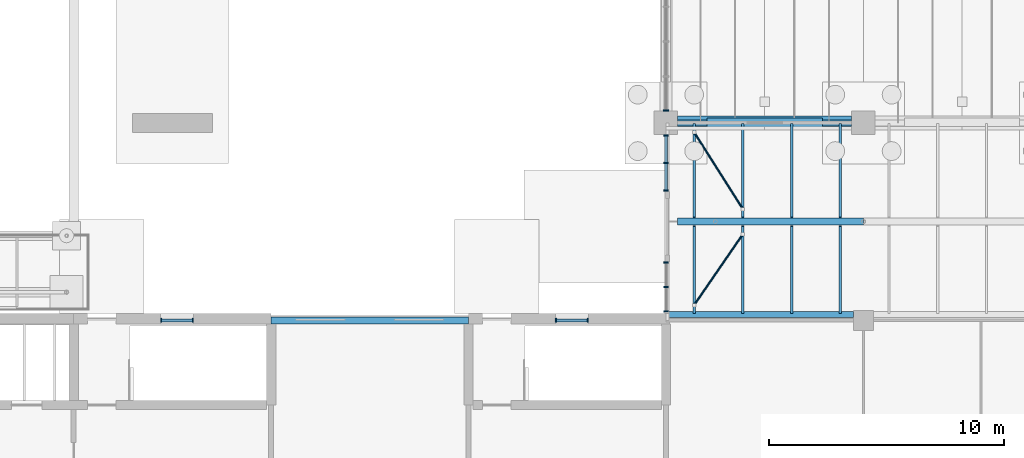
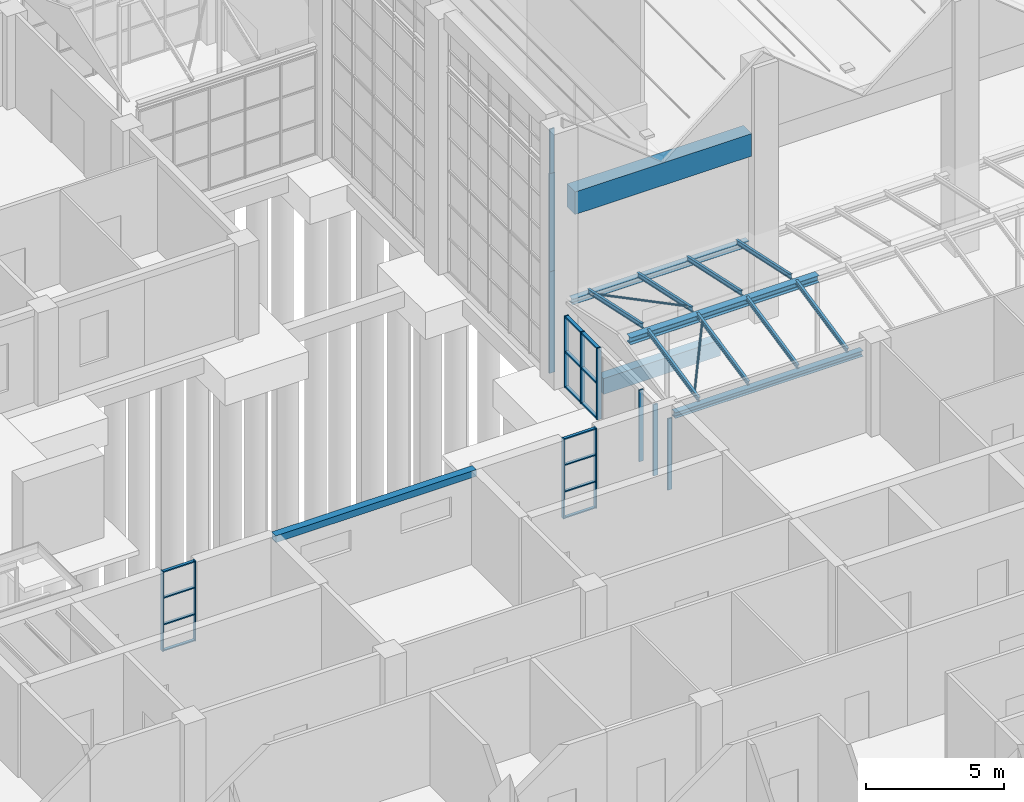
# One storey, part 37 of 138: 29 members, 14 beams, 7 elements without a shape of their own.
"""IFC4 building model written with IfcOpenShell, lengths in metres."""

from ifc_helpers import new_model, si_unit, direction, frame, origin, origin_2d, place, context, subcontext, project, spatial, rectangle, hollow_circle, i_section, extrude, material, material_profile, profile_set, type_object, element, aggregate, save


model = new_model("IFC4")

# Units and contexts
model_context = context("Model", 3, precision=1e-05, world=origin(), true_north=direction((0.0, 1.0)))
body_context = subcontext(model_context, "Body", "Model", "MODEL_VIEW")
ifc_project = project(units=[si_unit("LENGTHUNIT", "METRE"), si_unit("AREAUNIT", "SQUARE_METRE"), si_unit("VOLUMEUNIT", "CUBIC_METRE"), si_unit("PLANEANGLEUNIT", "RADIAN"), si_unit("MASSUNIT", "GRAM", prefix="KILO")], contexts=[model_context])

# Site, building, storey
site_placement = place(None, origin())
site = spatial("IfcSite", under=ifc_project, at=site_placement, CompositionType="ELEMENT")
building_placement = place(site_placement, origin())
building = spatial("IfcBuilding", under=site, at=building_placement, Name="Yavir Park General Hospital", CompositionType="ELEMENT")
storey_placement = place(building_placement, origin())
storey = spatial("IfcBuildingStorey", under=building, at=storey_placement, Name="L00", CompositionType="ELEMENT", Elevation=0.0)

# Members
ifc_material_1 = material(Name="Steel S355", Category="steel")
ifc_material_profile_1 = material_profile(ifc_material_1, hollow_circle(Radius=0.04443359375, WallThickness=0.0048828125, at=origin_2d()), Name="CHS88.9x5")
ifc_profile_set_1 = profile_set([ifc_material_profile_1], Name="Steel S355")
member_type_1 = type_object("IfcMemberType", Name="CHS 88.9x5 roof brace", PredefinedType="BRACE", material=ifc_profile_set_1)
member_1_placement = place(storey_placement, frame((76.800048828125, 34.25244140625, 3.68408203125), z_axis=(0.557681042943, 0.811626262262, 0.173938681003), x_axis=(-0.824189811811, 0.56631365347, 0.0)))
element("IfcMember", 1, at=member_1_placement, inside=storey, type_object=member_type_1, Name="RF:FOYER:frame:X:0", PredefinedType="BRACE", context=body_context, shape_type="SweptSolid", body=[
    extrude(hollow_circle(Radius=0.04443359375, WallThickness=0.0048828125, at=origin_2d()), origin(), (0.0, 0.0, 1.0), 3.716796875),
])
member_2_placement = place(storey_placement, frame((76.800048828125, 41.59765625, 3.630615234375), z_axis=(0.527213079538, -0.830872909803, 0.178035323797), x_axis=(0.844362360977, 0.535772529499, 0.0)))
element("IfcMember", 2, at=member_2_placement, inside=storey, type_object=member_type_1, Name="RF:FOYER:frame:X:2", PredefinedType="BRACE", context=body_context, shape_type="SweptSolid", body=[
    extrude(hollow_circle(Radius=0.04443359375, WallThickness=0.0048828125, at=origin_2d()), origin(), (0.0, 0.0, 1.0), 3.931640625),
])

# Curtain wall, members
ifc_material_2 = material(Name="Aluminium curtain wall frame with insulated glazing", Category="aluminium")
curtain_wall_type_1 = type_object("IfcCurtainWallType", Name="Glazed foyer walls, 3164 high, 1400 module", PredefinedType="NOTDEFINED", material=ifc_material_2)
curtain_wall_1_placement = place(storey_placement, origin())
curtain_wall_1 = element("IfcCurtainWall", 3, at=curtain_wall_1_placement, inside=storey, type_object=curtain_wall_type_1, Name="CW36 L00-048", PredefinedType="NOTDEFINED")
ifc_material_3 = material(Name="Aluminium", Category="aluminium")
ifc_material_profile_2 = material_profile(ifc_material_3, rectangle(XDim=0.179931640625, YDim=0.06005859375, at=origin_2d()), Name="AL 60x180")
ifc_profile_set_2 = profile_set([ifc_material_profile_2], Name="Aluminium")
member_type_2 = type_object("IfcMemberType", Name="Glazed foyer walls, 3164 high mullion 60 x 180", PredefinedType="MULLION", material=ifc_profile_set_2)
member_3_placement = place(storey_placement, frame((75.60009765625, 33.97998046875, 0.0), z_axis=(0.0, 0.0, 1.0), x_axis=(-1.0, 0.0, 0.0)))
member_3 = element("IfcMember", 4, at=member_3_placement, type_object=member_type_2, Name="CW36 mullion 1", PredefinedType="MULLION", context=body_context, shape_type="SweptSolid", body=[
    extrude(rectangle(XDim=0.179931640625, YDim=0.06005859375, at=origin_2d()), origin(), (0.0, 0.0, 1.0), 3.1640625),
])
member_4_placement = place(storey_placement, frame((75.60009765625, 35.018798828125, 0.0), z_axis=(0.0, 0.0, 1.0), x_axis=(-1.0, 0.0, 0.0)))
member_4 = element("IfcMember", 5, at=member_4_placement, type_object=member_type_2, Name="CW36 mullion 2", PredefinedType="MULLION", context=body_context, shape_type="SweptSolid", body=[
    extrude(rectangle(XDim=0.179931640625, YDim=0.06005859375, at=origin_2d()), origin(), (0.0, 0.0, 1.0), 3.1640625),
])
member_5_placement = place(storey_placement, frame((75.60009765625, 36.0576171875, 0.0), z_axis=(0.0, 0.0, 1.0), x_axis=(-1.0, 0.0, 0.0)))
member_5 = element("IfcMember", 6, at=member_5_placement, type_object=member_type_2, Name="CW36 mullion 3", PredefinedType="MULLION", context=body_context, shape_type="SweptSolid", body=[
    extrude(rectangle(XDim=0.179931640625, YDim=0.06005859375, at=origin_2d()), origin(), (0.0, 0.0, 1.0), 3.1640625),
])
aggregate(curtain_wall_1, [member_3, member_4, member_5])

curtain_wall_2_placement = place(storey_placement, origin())
curtain_wall_2 = element("IfcCurtainWall", 7, at=curtain_wall_2_placement, inside=storey, type_object=curtain_wall_type_1, Name="CW36 L00-049", PredefinedType="NOTDEFINED")
member_6_placement = place(storey_placement, frame((75.60009765625, 39.117431640625, 0.0), z_axis=(0.0, 0.0, 1.0), x_axis=(-1.0, 0.0, 0.0)))
member_6 = element("IfcMember", 8, at=member_6_placement, type_object=member_type_2, Name="CW36 mullion 1", PredefinedType="MULLION", context=body_context, shape_type="SweptSolid", body=[
    extrude(rectangle(XDim=0.179931640625, YDim=0.06005859375, at=origin_2d()), origin(), (0.0, 0.0, 1.0), 3.1640625),
])
member_7_placement = place(storey_placement, frame((75.60009765625, 40.293701171875, 0.0), z_axis=(0.0, 0.0, 1.0), x_axis=(-1.0, 0.0, 0.0)))
member_7 = element("IfcMember", 9, at=member_7_placement, type_object=member_type_2, Name="CW36 mullion 2", PredefinedType="MULLION", context=body_context, shape_type="SweptSolid", body=[
    extrude(rectangle(XDim=0.179931640625, YDim=0.06005859375, at=origin_2d()), origin(), (0.0, 0.0, 1.0), 3.1640625),
])
member_8_placement = place(storey_placement, frame((75.60009765625, 41.469970703125, 0.0), z_axis=(0.0, 0.0, 1.0), x_axis=(-1.0, 0.0, 0.0)))
member_8 = element("IfcMember", 10, at=member_8_placement, type_object=member_type_2, Name="CW36 mullion 3", PredefinedType="MULLION", context=body_context, shape_type="SweptSolid", body=[
    extrude(rectangle(XDim=0.179931640625, YDim=0.06005859375, at=origin_2d()), origin(), (0.0, 0.0, 1.0), 3.1640625),
])
ifc_material_4 = material(Name="Aluminium", Category="aluminium")
ifc_material_profile_3 = material_profile(ifc_material_4, rectangle(XDim=0.139892578125, YDim=0.06005859375, at=origin_2d()), Name="AL 140x60")
ifc_profile_set_3 = profile_set([ifc_material_profile_3], Name="Aluminium")
member_type_3 = type_object("IfcMemberType", Name="Glazed foyer walls, 3164 high transom 60 x 140", PredefinedType="MULLION", material=ifc_profile_set_3)
member_9_placement = place(storey_placement, frame((75.60009765625, 39.1474609375, 0.030029296875), z_axis=(0.0, 1.0, 0.0), x_axis=(-1.0, 0.0, 0.0)))
member_9 = element("IfcMember", 11, at=member_9_placement, type_object=member_type_3, Name="CW36 transom 1.1", PredefinedType="MULLION", context=body_context, shape_type="SweptSolid", body=[
    extrude(rectangle(XDim=0.139892578125, YDim=0.06005859375, at=origin_2d()), origin(), (0.0, 0.0, 1.0), 1.1162109375),
])
member_10_placement = place(storey_placement, frame((75.60009765625, 39.1474609375, 1.58203125), z_axis=(0.0, 1.0, 0.0), x_axis=(-1.0, 0.0, 0.0)))
member_10 = element("IfcMember", 12, at=member_10_placement, type_object=member_type_3, Name="CW36 transom 1.2", PredefinedType="MULLION", context=body_context, shape_type="SweptSolid", body=[
    extrude(rectangle(XDim=0.139892578125, YDim=0.06005859375, at=origin_2d()), origin(), (0.0, 0.0, 1.0), 1.1162109375),
])
member_11_placement = place(storey_placement, frame((75.60009765625, 39.1474609375, 3.134033203125), z_axis=(0.0, 1.0, 0.0), x_axis=(-1.0, 0.0, 0.0)))
member_11 = element("IfcMember", 13, at=member_11_placement, type_object=member_type_3, Name="CW36 transom 1.3", PredefinedType="MULLION", context=body_context, shape_type="SweptSolid", body=[
    extrude(rectangle(XDim=0.139892578125, YDim=0.06005859375, at=origin_2d()), origin(), (0.0, 0.0, 1.0), 1.1162109375),
])
member_12_placement = place(storey_placement, frame((75.60009765625, 40.32373046875, 0.030029296875), z_axis=(0.0, 1.0, 0.0), x_axis=(-1.0, 0.0, 0.0)))
member_12 = element("IfcMember", 14, at=member_12_placement, type_object=member_type_3, Name="CW36 transom 2.1", PredefinedType="MULLION", context=body_context, shape_type="SweptSolid", body=[
    extrude(rectangle(XDim=0.139892578125, YDim=0.06005859375, at=origin_2d()), origin(), (0.0, 0.0, 1.0), 1.1162109375),
])
member_13_placement = place(storey_placement, frame((75.60009765625, 40.32373046875, 1.58203125), z_axis=(0.0, 1.0, 0.0), x_axis=(-1.0, 0.0, 0.0)))
member_13 = element("IfcMember", 15, at=member_13_placement, type_object=member_type_3, Name="CW36 transom 2.2", PredefinedType="MULLION", context=body_context, shape_type="SweptSolid", body=[
    extrude(rectangle(XDim=0.139892578125, YDim=0.06005859375, at=origin_2d()), origin(), (0.0, 0.0, 1.0), 1.1162109375),
])
member_14_placement = place(storey_placement, frame((75.60009765625, 40.32373046875, 3.134033203125), z_axis=(0.0, 1.0, 0.0), x_axis=(-1.0, 0.0, 0.0)))
member_14 = element("IfcMember", 16, at=member_14_placement, type_object=member_type_3, Name="CW36 transom 2.3", PredefinedType="MULLION", context=body_context, shape_type="SweptSolid", body=[
    extrude(rectangle(XDim=0.139892578125, YDim=0.06005859375, at=origin_2d()), origin(), (0.0, 0.0, 1.0), 1.1162109375),
])
aggregate(curtain_wall_2, [member_6, member_7, member_8, member_9, member_10, member_11, member_12, member_13, member_14])

# Beams
ifc_material_5 = material(Name="Steel S355", Category="steel")
ifc_material_profile_4 = material_profile(ifc_material_5, i_section(OverallWidth=0.260009765625, OverallDepth=0.25, WebThickness=0.007568359375, FlangeThickness=0.012451171875, FilletRadius=0.02392578125, at=origin_2d()), Name="HEA260")
ifc_profile_set_4 = profile_set([ifc_material_profile_4], Name="Steel S355")
beam_type_1 = type_object("IfcBeamType", Name="HEA 260 eave beam", PredefinedType="BEAM", material=ifc_profile_set_4)
beam_1_placement = place(storey_placement, frame((75.699951171875, 33.85009765625, 3.385986328125), z_axis=(1.0, 0.0, 0.0), x_axis=(0.0, 1.0, 0.0)))
element("IfcBeam", 17, at=beam_1_placement, inside=storey, type_object=beam_type_1, Name="RF:FOYER:frame:E:0", PredefinedType="BEAM", context=body_context, shape_type="SweptSolid", body=[
    extrude(i_section(OverallWidth=0.260009765625, OverallDepth=0.25, WebThickness=0.007568359375, FlangeThickness=0.012451171875, FilletRadius=0.02392578125, at=origin_2d()), origin(), (0.0, 0.0, 1.0), 7.875),
])
beam_2_placement = place(storey_placement, frame((76.10009765625, 42.0, 3.33203125), z_axis=(1.0, 0.0, 0.0), x_axis=(0.0, 1.0, 0.0)))
element("IfcBeam", 18, at=beam_2_placement, inside=storey, type_object=beam_type_1, Name="RF:FOYER:frame:E:3", PredefinedType="BEAM", context=body_context, shape_type="SweptSolid", body=[
    extrude(i_section(OverallWidth=0.260009765625, OverallDepth=0.25, WebThickness=0.007568359375, FlangeThickness=0.012451171875, FilletRadius=0.02392578125, at=origin_2d()), origin(), (0.0, 0.0, 1.0), 7.39990234375),
])
ifc_material_6 = material(Name="Steel S355", Category="steel")
ifc_material_profile_5 = material_profile(ifc_material_6, i_section(OverallWidth=0.300048828125, OverallDepth=0.31005859375, WebThickness=0.009033203125, FlangeThickness=0.015380859375, FilletRadius=0.027099609375, at=origin_2d()), Name="HEA320")
ifc_profile_set_5 = profile_set([ifc_material_profile_5], Name="Steel S355")
beam_type_2 = type_object("IfcBeamType", Name="HEA 320 ridge beam", PredefinedType="BEAM", material=ifc_profile_set_5)
beam_3_placement = place(storey_placement, frame((76.10009765625, 37.800048828125, 4.154052734375), z_axis=(1.0, 0.0, 0.0), x_axis=(0.0, 1.0, 0.0)))
element("IfcBeam", 19, at=beam_3_placement, inside=storey, type_object=beam_type_2, Name="RF:FOYER:frame:G:0", PredefinedType="BEAM", context=body_context, shape_type="SweptSolid", body=[
    extrude(i_section(OverallWidth=0.300048828125, OverallDepth=0.31005859375, WebThickness=0.009033203125, FlangeThickness=0.015380859375, FilletRadius=0.027099609375, at=origin_2d()), origin(), (0.0, 0.0, 1.0), 7.89990234375),
])
ifc_material_7 = material(Name="Steel S355", Category="steel")
ifc_material_profile_6 = material_profile(ifc_material_7, i_section(OverallWidth=0.10009765625, OverallDepth=0.199951171875, WebThickness=0.005615234375, FlangeThickness=0.008544921875, FilletRadius=0.011962890625, at=origin_2d()), Name="IPE200")
ifc_profile_set_6 = profile_set([ifc_material_profile_6], Name="Steel S355")
beam_type_3 = type_object("IfcBeamType", Name="IPE 200 rafter", PredefinedType="JOIST", material=ifc_profile_set_6)
beam_4_placement = place(storey_placement, frame((76.800048828125, 33.90234375, 3.609130859375), z_axis=(0.0, 0.977803354048, 0.209524702155), x_axis=(-1.0, 0.0, 0.0)))
element("IfcBeam", 20, at=beam_4_placement, inside=storey, type_object=beam_type_3, Name="RF:FOYER:frame:R:0", PredefinedType="JOIST", context=body_context, shape_type="SweptSolid", body=[
    extrude(i_section(OverallWidth=0.10009765625, OverallDepth=0.199951171875, WebThickness=0.005615234375, FlangeThickness=0.008544921875, FilletRadius=0.011962890625, at=origin_2d()), origin(), (0.0, 0.0, 1.0), 3.801025390625),
])
beam_5_placement = place(storey_placement, frame((76.800048828125, 37.98095703125, 4.405517578125), z_axis=(0.0, 0.977796248547, -0.20955785914), x_axis=(-1.0, 0.0, 0.0)))
element("IfcBeam", 21, at=beam_5_placement, inside=storey, type_object=beam_type_3, Name="RF:FOYER:frame:R:1", PredefinedType="JOIST", context=body_context, shape_type="SweptSolid", body=[
    extrude(i_section(OverallWidth=0.10009765625, OverallDepth=0.199951171875, WebThickness=0.005615234375, FlangeThickness=0.008544921875, FilletRadius=0.011962890625, at=origin_2d()), origin(), (0.0, 0.0, 1.0), 4.056640625),
])
beam_6_placement = place(storey_placement, frame((78.872802734375, 33.90234375, 3.609130859375), z_axis=(0.0, 0.977803354048, 0.209524702155), x_axis=(-1.0, 0.0, 0.0)))
element("IfcBeam", 22, at=beam_6_placement, inside=storey, type_object=beam_type_3, Name="RF:FOYER:frame:R:2", PredefinedType="JOIST", context=body_context, shape_type="SweptSolid", body=[
    extrude(i_section(OverallWidth=0.10009765625, OverallDepth=0.199951171875, WebThickness=0.005615234375, FlangeThickness=0.008544921875, FilletRadius=0.011962890625, at=origin_2d()), origin(), (0.0, 0.0, 1.0), 3.801025390625),
])
beam_7_placement = place(storey_placement, frame((78.872802734375, 37.98095703125, 4.405517578125), z_axis=(0.0, 0.977796248547, -0.20955785914), x_axis=(-1.0, 0.0, 0.0)))
element("IfcBeam", 23, at=beam_7_placement, inside=storey, type_object=beam_type_3, Name="RF:FOYER:frame:R:3", PredefinedType="JOIST", context=body_context, shape_type="SweptSolid", body=[
    extrude(i_section(OverallWidth=0.10009765625, OverallDepth=0.199951171875, WebThickness=0.005615234375, FlangeThickness=0.008544921875, FilletRadius=0.011962890625, at=origin_2d()), origin(), (0.0, 0.0, 1.0), 4.056640625),
])
beam_8_placement = place(storey_placement, frame((80.945556640625, 33.90234375, 3.609130859375), z_axis=(0.0, 0.977803354048, 0.209524702155), x_axis=(-1.0, 0.0, 0.0)))
element("IfcBeam", 24, at=beam_8_placement, inside=storey, type_object=beam_type_3, Name="RF:FOYER:frame:R:4", PredefinedType="JOIST", context=body_context, shape_type="SweptSolid", body=[
    extrude(i_section(OverallWidth=0.10009765625, OverallDepth=0.199951171875, WebThickness=0.005615234375, FlangeThickness=0.008544921875, FilletRadius=0.011962890625, at=origin_2d()), origin(), (0.0, 0.0, 1.0), 3.801025390625),
])
beam_9_placement = place(storey_placement, frame((80.945556640625, 37.98095703125, 4.405517578125), z_axis=(0.0, 0.977796248547, -0.20955785914), x_axis=(-1.0, 0.0, 0.0)))
element("IfcBeam", 25, at=beam_9_placement, inside=storey, type_object=beam_type_3, Name="RF:FOYER:frame:R:5", PredefinedType="JOIST", context=body_context, shape_type="SweptSolid", body=[
    extrude(i_section(OverallWidth=0.10009765625, OverallDepth=0.199951171875, WebThickness=0.005615234375, FlangeThickness=0.008544921875, FilletRadius=0.011962890625, at=origin_2d()), origin(), (0.0, 0.0, 1.0), 4.056640625),
])
beam_10_placement = place(storey_placement, frame((83.018310546875, 33.90234375, 3.609130859375), z_axis=(0.0, 0.977803354048, 0.209524702155), x_axis=(-1.0, 0.0, 0.0)))
element("IfcBeam", 26, at=beam_10_placement, inside=storey, type_object=beam_type_3, Name="RF:FOYER:frame:R:6", PredefinedType="JOIST", context=body_context, shape_type="SweptSolid", body=[
    extrude(i_section(OverallWidth=0.10009765625, OverallDepth=0.199951171875, WebThickness=0.005615234375, FlangeThickness=0.008544921875, FilletRadius=0.011962890625, at=origin_2d()), origin(), (0.0, 0.0, 1.0), 3.801025390625),
])
beam_11_placement = place(storey_placement, frame((83.018310546875, 37.98095703125, 4.405517578125), z_axis=(0.0, 0.977796248547, -0.20955785914), x_axis=(-1.0, 0.0, 0.0)))
element("IfcBeam", 27, at=beam_11_placement, inside=storey, type_object=beam_type_3, Name="RF:FOYER:frame:R:7", PredefinedType="JOIST", context=body_context, shape_type="SweptSolid", body=[
    extrude(i_section(OverallWidth=0.10009765625, OverallDepth=0.199951171875, WebThickness=0.005615234375, FlangeThickness=0.008544921875, FilletRadius=0.011962890625, at=origin_2d()), origin(), (0.0, 0.0, 1.0), 4.056640625),
])

# Curtain wall, member
ifc_material_8 = material(Name="Aluminium curtain wall frame with insulated glazing", Category="aluminium")
curtain_wall_type_2 = type_object("IfcCurtainWallType", Name="Main hall glazing, clerestory band, 1970 high, 1400 module", PredefinedType="NOTDEFINED", material=ifc_material_8)
curtain_wall_3_placement = place(storey_placement, origin())
curtain_wall_3 = element("IfcCurtainWall", 28, at=curtain_wall_3_placement, inside=storey, type_object=curtain_wall_type_2, Name="CW35 L00-052", PredefinedType="NOTDEFINED")
ifc_material_9 = material(Name="Aluminium", Category="aluminium")
ifc_material_profile_7 = material_profile(ifc_material_9, rectangle(XDim=0.199951171875, YDim=0.050048828125, at=origin_2d()), Name="AL 50x200")
ifc_profile_set_7 = profile_set([ifc_material_profile_7], Name="Aluminium")
member_type_4 = type_object("IfcMemberType", Name="Main hall glazing, clerestory band, 1970 high mullion 50 x 200", PredefinedType="MULLION", material=ifc_profile_set_7)
member_15_placement = place(storey_placement, frame((75.60009765625, 42.52490234375, 8.844970703125), z_axis=(0.0, 0.0, 1.0), x_axis=(-1.0, 0.0, 0.0)))
member_15 = element("IfcMember", 29, at=member_15_placement, type_object=member_type_4, Name="CW35 mullion 1", PredefinedType="MULLION", context=body_context, shape_type="SweptSolid", body=[
    extrude(rectangle(XDim=0.199951171875, YDim=0.050048828125, at=origin_2d()), origin(), (0.0, 0.0, 1.0), 1.969970703125),
])
aggregate(curtain_wall_3, [member_15])

ifc_material_10 = material(Name="Aluminium curtain wall frame with insulated glazing", Category="aluminium")
curtain_wall_type_3 = type_object("IfcCurtainWallType", Name="Main hall glazing, lower band, 4500 high, 1400 module", PredefinedType="NOTDEFINED", material=ifc_material_10)
curtain_wall_4_placement = place(storey_placement, origin())
curtain_wall_4 = element("IfcCurtainWall", 30, at=curtain_wall_4_placement, inside=storey, type_object=curtain_wall_type_3, Name="CW33 L00-050", PredefinedType="NOTDEFINED")
ifc_material_11 = material(Name="Aluminium", Category="aluminium")
ifc_material_profile_8 = material_profile(ifc_material_11, rectangle(XDim=0.239990234375, YDim=0.06005859375, at=origin_2d()), Name="AL 60x240")
ifc_profile_set_8 = profile_set([ifc_material_profile_8], Name="Aluminium")
member_type_5 = type_object("IfcMemberType", Name="Main hall glazing, lower band, 4500 high mullion 60 x 240", PredefinedType="MULLION", material=ifc_profile_set_8)
member_16_placement = place(storey_placement, frame((75.60009765625, 42.530029296875, 0.0), z_axis=(0.0, 0.0, 1.0), x_axis=(-1.0, 0.0, 0.0)))
member_16 = element("IfcMember", 31, at=member_16_placement, type_object=member_type_5, Name="CW33 mullion 1", PredefinedType="MULLION", context=body_context, shape_type="SweptSolid", body=[
    extrude(rectangle(XDim=0.239990234375, YDim=0.06005859375, at=origin_2d()), origin(), (0.0, 0.0, 1.0), 4.5),
])
aggregate(curtain_wall_4, [member_16])

ifc_material_12 = material(Name="Aluminium curtain wall frame with insulated glazing", Category="aluminium")
curtain_wall_type_4 = type_object("IfcCurtainWallType", Name="Main hall glazing, upper band, 4345 high, 1400 module", PredefinedType="NOTDEFINED", material=ifc_material_12)
curtain_wall_5_placement = place(storey_placement, origin())
curtain_wall_5 = element("IfcCurtainWall", 32, at=curtain_wall_5_placement, inside=storey, type_object=curtain_wall_type_4, Name="CW52 L00-051", PredefinedType="NOTDEFINED")
ifc_material_13 = material(Name="Aluminium", Category="aluminium")
ifc_material_profile_9 = material_profile(ifc_material_13, rectangle(XDim=0.239990234375, YDim=0.06005859375, at=origin_2d()), Name="AL 60x240")
ifc_profile_set_9 = profile_set([ifc_material_profile_9], Name="Aluminium")
member_type_6 = type_object("IfcMemberType", Name="Main hall glazing, upper band, 4345 high mullion 60 x 240", PredefinedType="MULLION", material=ifc_profile_set_9)
member_17_placement = place(storey_placement, frame((75.60009765625, 42.530029296875, 4.5), z_axis=(0.0, 0.0, 1.0), x_axis=(-1.0, 0.0, 0.0)))
member_17 = element("IfcMember", 33, at=member_17_placement, type_object=member_type_6, Name="CW52 mullion 1", PredefinedType="MULLION", context=body_context, shape_type="SweptSolid", body=[
    extrude(rectangle(XDim=0.239990234375, YDim=0.06005859375, at=origin_2d()), origin(), (0.0, 0.0, 1.0), 4.344970703125),
])
aggregate(curtain_wall_5, [member_17])

# Beams
ifc_material_14 = material(Name="Concrete C35/45", Category="concrete")
ifc_material_profile_10 = material_profile(ifc_material_14, rectangle(XDim=0.300048828125, YDim=0.300048828125, at=origin_2d()), Name="RC300x300")
ifc_profile_set_10 = profile_set([ifc_material_profile_10], Name="Concrete C35/45")
beam_type_4 = type_object("IfcBeamType", Name="RC BEAM 300x300 edge beam", PredefinedType="BEAM", material=ifc_profile_set_10)
beam_12_placement = place(storey_placement, frame((58.800048828125, 33.60009765625, 3.989990234375), z_axis=(1.0, 0.0, 0.0), x_axis=(0.0, 1.0, 0.0)))
element("IfcBeam", 34, at=beam_12_placement, inside=storey, type_object=beam_type_4, Name="B:EDGE:L00:015", PredefinedType="BEAM", context=body_context, shape_type="SweptSolid", body=[
    extrude(rectangle(XDim=0.300048828125, YDim=0.300048828125, at=origin_2d()), origin(), (0.0, 0.0, 1.0), 8.39990234375),
])
ifc_material_15 = material(Name="Concrete C35/45", Category="concrete")
ifc_material_profile_11 = material_profile(ifc_material_15, rectangle(XDim=0.39990234375, YDim=0.699951171875, at=origin_2d()), Name="RC400x700")
ifc_profile_set_11 = profile_set([ifc_material_profile_11], Name="Concrete C35/45")
beam_type_5 = type_object("IfcBeamType", Name="RC BEAM 400x700 ground beam", PredefinedType="BEAM", material=ifc_profile_set_11)
beam_13_placement = place(storey_placement, frame((77.35009765625, 42.0, -0.800048828125), z_axis=(1.0, 0.0, 0.0), x_axis=(0.0, 1.0, 0.0)))
element("IfcBeam", 35, at=beam_13_placement, inside=storey, type_object=beam_type_5, Name="B:GND:L00:10F:L00:11F", PredefinedType="BEAM", context=body_context, shape_type="SweptSolid", body=[
    extrude(rectangle(XDim=0.39990234375, YDim=0.699951171875, at=origin_2d()), origin(), (0.0, 0.0, 1.0), 4.89990234375),
])
ifc_material_16 = material(Name="Concrete C35/45", Category="concrete")
ifc_material_profile_12 = material_profile(ifc_material_16, rectangle(XDim=0.60009765625, YDim=1.0, at=origin_2d()), Name="RC600x1000")
ifc_profile_set_12 = profile_set([ifc_material_profile_12], Name="Concrete C35/45")
beam_type_6 = type_object("IfcBeamType", Name="RC BEAM 600x1000 hall end girder", PredefinedType="BEAM", material=ifc_profile_set_12)
beam_14_placement = place(storey_placement, frame((76.10009765625, 42.0, 7.81689453125), z_axis=(1.0, 0.0, 0.0), x_axis=(0.0, 1.0, 0.0)))
element("IfcBeam", 36, at=beam_14_placement, inside=storey, type_object=beam_type_6, Name="B:HALL:END:S0", PredefinedType="BEAM", context=body_context, shape_type="SweptSolid", body=[
    extrude(rectangle(XDim=0.60009765625, YDim=1.0, at=origin_2d()), origin(), (0.0, 0.0, 1.0), 7.39990234375),
])

# Curtain wall, members
ifc_material_17 = material(Name="Aluminium curtain wall frame with insulated glazing", Category="aluminium")
curtain_wall_type_5 = type_object("IfcCurtainWallType", Name="Stair light slot, ground floor, 3540 high, 1400 module", PredefinedType="NOTDEFINED", material=ifc_material_17)
curtain_wall_6_placement = place(storey_placement, origin())
curtain_wall_6 = element("IfcCurtainWall", 37, at=curtain_wall_6_placement, inside=storey, type_object=curtain_wall_type_5, Name="CW19 L00-007", PredefinedType="NOTDEFINED")
ifc_material_18 = material(Name="Aluminium", Category="aluminium")
ifc_material_profile_13 = material_profile(ifc_material_18, rectangle(XDim=0.159912109375, YDim=0.050048828125, at=origin_2d()), Name="AL 50x160")
ifc_profile_set_13 = profile_set([ifc_material_profile_13], Name="Aluminium")
member_type_7 = type_object("IfcMemberType", Name="Stair light slot, ground floor, 3540 high mullion 50 x 160", PredefinedType="MULLION", material=ifc_profile_set_13)
member_18_placement = place(storey_placement, frame((54.125, 33.60009765625, 0.60009765625), z_axis=(0.0, 0.0, 1.0), x_axis=(0.0, 1.0, 0.0)))
member_18 = element("IfcMember", 38, at=member_18_placement, type_object=member_type_7, Name="CW19 mullion 1", PredefinedType="MULLION", context=body_context, shape_type="SweptSolid", body=[
    extrude(rectangle(XDim=0.159912109375, YDim=0.050048828125, at=origin_2d()), origin(), (0.0, 0.0, 1.0), 3.539794921875),
])
member_19_placement = place(storey_placement, frame((55.47509765625, 33.60009765625, 0.60009765625), z_axis=(0.0, 0.0, 1.0), x_axis=(0.0, 1.0, 0.0)))
member_19 = element("IfcMember", 39, at=member_19_placement, type_object=member_type_7, Name="CW19 mullion 2", PredefinedType="MULLION", context=body_context, shape_type="SweptSolid", body=[
    extrude(rectangle(XDim=0.159912109375, YDim=0.050048828125, at=origin_2d()), origin(), (0.0, 0.0, 1.0), 3.539794921875),
])

curtain_wall_7_placement = place(storey_placement, origin())
curtain_wall_7 = element("IfcCurtainWall", 40, at=curtain_wall_7_placement, inside=storey, type_object=curtain_wall_type_5, Name="CW19 L00-008", PredefinedType="NOTDEFINED")
member_20_placement = place(storey_placement, frame((70.925048828125, 33.60009765625, 0.60009765625), z_axis=(0.0, 0.0, 1.0), x_axis=(0.0, 1.0, 0.0)))
member_20 = element("IfcMember", 41, at=member_20_placement, type_object=member_type_7, Name="CW19 mullion 1", PredefinedType="MULLION", context=body_context, shape_type="SweptSolid", body=[
    extrude(rectangle(XDim=0.159912109375, YDim=0.050048828125, at=origin_2d()), origin(), (0.0, 0.0, 1.0), 3.539794921875),
])
member_21_placement = place(storey_placement, frame((72.27490234375, 33.60009765625, 0.60009765625), z_axis=(0.0, 0.0, 1.0), x_axis=(0.0, 1.0, 0.0)))
member_21 = element("IfcMember", 42, at=member_21_placement, type_object=member_type_7, Name="CW19 mullion 2", PredefinedType="MULLION", context=body_context, shape_type="SweptSolid", body=[
    extrude(rectangle(XDim=0.159912109375, YDim=0.050048828125, at=origin_2d()), origin(), (0.0, 0.0, 1.0), 3.539794921875),
])

# Member
ifc_material_19 = material(Name="Aluminium", Category="aluminium")
ifc_material_profile_14 = material_profile(ifc_material_19, rectangle(XDim=0.1201171875, YDim=0.050048828125, at=origin_2d()), Name="AL 120x50")
ifc_profile_set_14 = profile_set([ifc_material_profile_14], Name="Aluminium")
member_type_8 = type_object("IfcMemberType", Name="Stair light slot, ground floor, 3540 high transom 50 x 120", PredefinedType="MULLION", material=ifc_profile_set_14)
member_22_placement = place(storey_placement, frame((54.14990234375, 33.60009765625, 0.625), z_axis=(1.0, 0.0, 0.0), x_axis=(0.0, 1.0, 0.0)))
member_22 = element("IfcMember", 43, at=member_22_placement, type_object=member_type_8, Name="CW19 transom 1.1", PredefinedType="MULLION", context=body_context, shape_type="SweptSolid", body=[
    extrude(rectangle(XDim=0.1201171875, YDim=0.050048828125, at=origin_2d()), origin(), (0.0, 0.0, 1.0), 1.300048828125),
])

member_23_placement = place(storey_placement, frame((54.14990234375, 33.60009765625, 1.780029296875), z_axis=(1.0, 0.0, 0.0), x_axis=(0.0, 1.0, 0.0)))
member_23 = element("IfcMember", 44, at=member_23_placement, type_object=member_type_8, Name="CW19 transom 1.2", PredefinedType="MULLION", context=body_context, shape_type="SweptSolid", body=[
    extrude(rectangle(XDim=0.1201171875, YDim=0.050048828125, at=origin_2d()), origin(), (0.0, 0.0, 1.0), 1.300048828125),
])

member_24_placement = place(storey_placement, frame((54.14990234375, 33.60009765625, 2.9599609375), z_axis=(1.0, 0.0, 0.0), x_axis=(0.0, 1.0, 0.0)))
member_24 = element("IfcMember", 45, at=member_24_placement, type_object=member_type_8, Name="CW19 transom 1.3", PredefinedType="MULLION", context=body_context, shape_type="SweptSolid", body=[
    extrude(rectangle(XDim=0.1201171875, YDim=0.050048828125, at=origin_2d()), origin(), (0.0, 0.0, 1.0), 1.300048828125),
])

member_25_placement = place(storey_placement, frame((54.14990234375, 33.60009765625, 4.114990234375), z_axis=(1.0, 0.0, 0.0), x_axis=(0.0, 1.0, 0.0)))
member_25 = element("IfcMember", 46, at=member_25_placement, type_object=member_type_8, Name="CW19 transom 1.4", PredefinedType="MULLION", context=body_context, shape_type="SweptSolid", body=[
    extrude(rectangle(XDim=0.1201171875, YDim=0.050048828125, at=origin_2d()), origin(), (0.0, 0.0, 1.0), 1.300048828125),
])

aggregate(curtain_wall_6, [member_18, member_19, member_22, member_23, member_24, member_25])

member_26_placement = place(storey_placement, frame((70.949951171875, 33.60009765625, 0.625), z_axis=(1.0, 0.0, 0.0), x_axis=(0.0, 1.0, 0.0)))
member_26 = element("IfcMember", 47, at=member_26_placement, type_object=member_type_8, Name="CW19 transom 1.1", PredefinedType="MULLION", context=body_context, shape_type="SweptSolid", body=[
    extrude(rectangle(XDim=0.1201171875, YDim=0.050048828125, at=origin_2d()), origin(), (0.0, 0.0, 1.0), 1.300048828125),
])

member_27_placement = place(storey_placement, frame((70.949951171875, 33.60009765625, 1.780029296875), z_axis=(1.0, 0.0, 0.0), x_axis=(0.0, 1.0, 0.0)))
member_27 = element("IfcMember", 48, at=member_27_placement, type_object=member_type_8, Name="CW19 transom 1.2", PredefinedType="MULLION", context=body_context, shape_type="SweptSolid", body=[
    extrude(rectangle(XDim=0.1201171875, YDim=0.050048828125, at=origin_2d()), origin(), (0.0, 0.0, 1.0), 1.300048828125),
])

member_28_placement = place(storey_placement, frame((70.949951171875, 33.60009765625, 2.9599609375), z_axis=(1.0, 0.0, 0.0), x_axis=(0.0, 1.0, 0.0)))
member_28 = element("IfcMember", 49, at=member_28_placement, type_object=member_type_8, Name="CW19 transom 1.3", PredefinedType="MULLION", context=body_context, shape_type="SweptSolid", body=[
    extrude(rectangle(XDim=0.1201171875, YDim=0.050048828125, at=origin_2d()), origin(), (0.0, 0.0, 1.0), 1.300048828125),
])

member_29_placement = place(storey_placement, frame((70.949951171875, 33.60009765625, 4.114990234375), z_axis=(1.0, 0.0, 0.0), x_axis=(0.0, 1.0, 0.0)))
member_29 = element("IfcMember", 50, at=member_29_placement, type_object=member_type_8, Name="CW19 transom 1.4", PredefinedType="MULLION", context=body_context, shape_type="SweptSolid", body=[
    extrude(rectangle(XDim=0.1201171875, YDim=0.050048828125, at=origin_2d()), origin(), (0.0, 0.0, 1.0), 1.300048828125),
])

aggregate(curtain_wall_7, [member_20, member_21, member_26, member_27, member_28, member_29])

save(model, "model.ifc")
